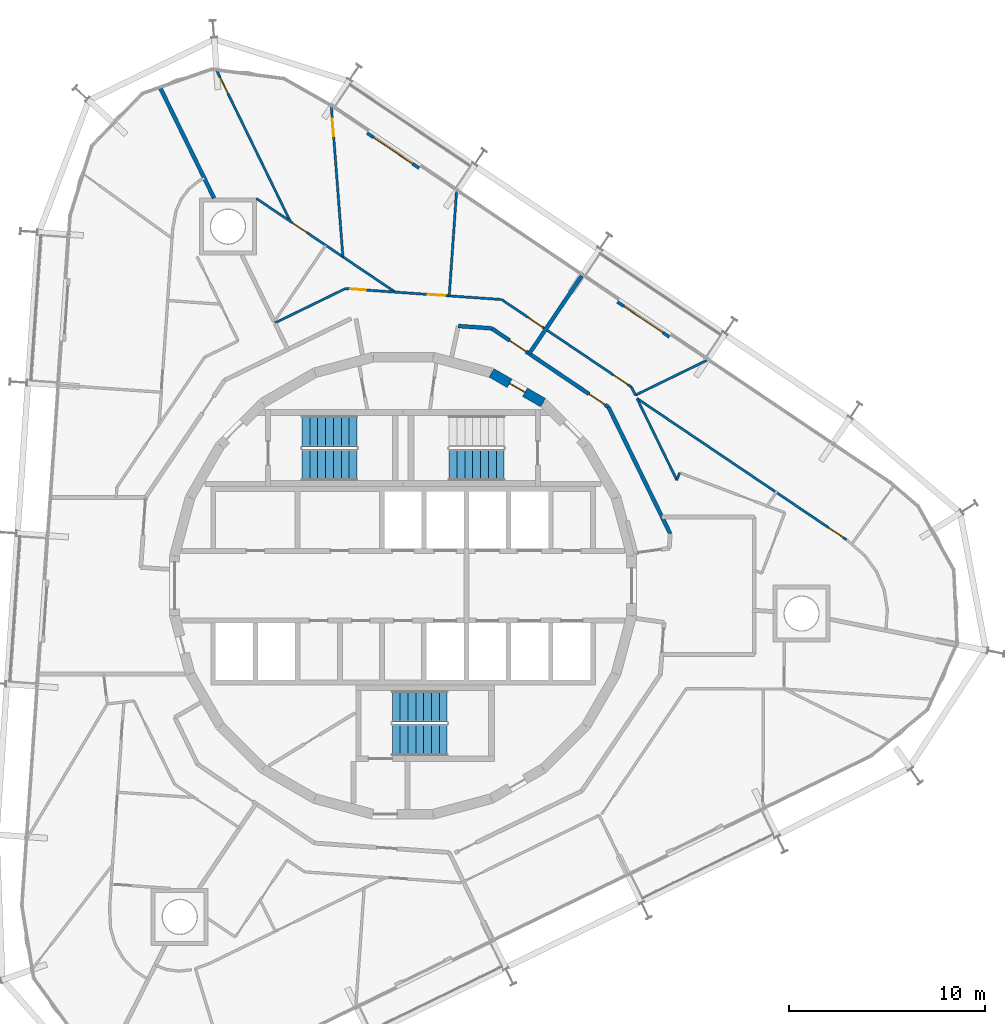
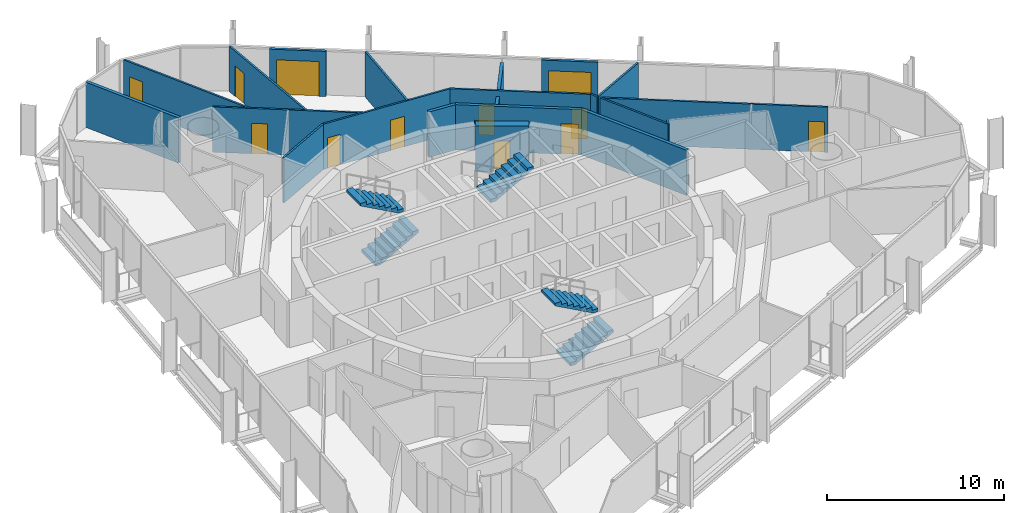
# One storey, part 16 of 18: 20 walls, 13 doors, 5 stair flights, 13 openings, 3 elements without a shape of their own.
"""IFC4 building model written with IfcOpenShell, lengths in metres."""

from ifc_helpers import new_model, si_unit, direction, frame, frame_2d, origin, place, context, subcontext, project, spatial, polyline, rectangle, outline, extrude, material, layer, layer_set, type_object, element, fill, aggregate, save


model = new_model("IFC4")

# Units and contexts
model_context = context("Model", 3, precision=1e-05, world=origin(), true_north=direction((0.0, 1.0)))
body_context = subcontext(model_context, "Body", "Model", "MODEL_VIEW")
ifc_project = project(units=[si_unit("LENGTHUNIT", "METRE"), si_unit("AREAUNIT", "SQUARE_METRE"), si_unit("VOLUMEUNIT", "CUBIC_METRE"), si_unit("PLANEANGLEUNIT", "RADIAN"), si_unit("MASSUNIT", "GRAM", prefix="KILO")], contexts=[model_context])

# Site, building, storey
site_placement = place(None, origin())
site = spatial("IfcSite", under=ifc_project, at=site_placement, CompositionType="ELEMENT")
building_placement = place(site_placement, origin())
building = spatial("IfcBuilding", under=site, at=building_placement, Name="Spindle Arch Residences", CompositionType="ELEMENT")
storey_placement = place(building_placement, frame((0.0, 0.0, 195.39990234375)))
storey = spatial("IfcBuildingStorey", under=building, at=storey_placement, Name="L49", CompositionType="ELEMENT", Elevation=195.39990234375)

# Wall, opening, door
ifc_material_1 = material(Name="Concrete C50/60", Category="concrete")
ifc_layer_1 = layer(ifc_material_1, 0.5)
ifc_layer_set_1 = layer_set([ifc_layer_1], Name="Core outline wall 500")
wall_type_1 = type_object("IfcWallType", Name="Core outline wall 500", PredefinedType="SHEAR", material=ifc_layer_set_1)
wall_1_placement = place(storey_placement, frame((7.13671875, 9.32861328125, 0.0), z_axis=(0.0, 0.0, 1.0), x_axis=(-0.865975092491, 0.500087131594, 0.0)))
wall_1 = element("IfcWall", 1, at=wall_1_placement, inside=storey, type_object=wall_type_1, Name="Core outline wall 10", PredefinedType="SHEAR", context=body_context, shape_type="SweptSolid", body=[
    extrude(rectangle(XDim=3.03271484375, YDim=0.5, at=frame_2d((1.516357421875, 0.0))), origin(), (0.0, 0.0, 1.0), 3.1201171875),
])
opening_1_placement = place(wall_1_placement, frame((1.06640625, 0.0, 0.0)))
opening_1 = element("IfcOpeningElement", 2, at=opening_1_placement, cuts=wall_1, Name="Opening R5A0-WD12", PredefinedType="OPENING", context=body_context, shape_type="SweptSolid", body=[
    extrude(rectangle(XDim=0.89990234375, YDim=2.10009765625, at=frame_2d((0.449951171875, 1.050048828125))), frame((0.0, 0.260009765625, 0.0), z_axis=(0.0, -1.0, 0.0), x_axis=(1.0, 0.0, 0.0)), (0.0, 0.0, 1.0), 0.52001953125),
])
ifc_material_2 = material(Name="Steel, fire-resisting door", Category="steel")
door_type_1 = type_object("IfcDoorType", Name="Service room door 900x2100", OperationType="SINGLE_SWING_LEFT", PredefinedType="DOOR", material=ifc_material_2)
door_1_placement = place(opening_1_placement, origin())
door_1 = element("IfcDoor", 3, at=door_1_placement, inside=storey, type_object=door_type_1, Name="Service room door R5A0-WD12", OperationType="SINGLE_SWING_RIGHT", OverallHeight=2.10009765625, OverallWidth=0.89990234375, PredefinedType="DOOR", context=body_context, shape_type="SweptSolid", body=[
    extrude(rectangle(XDim=0.89990234375, YDim=2.10009765625, at=frame_2d((0.449951171875, 1.050048828125))), frame((0.0, 0.02490234375, 0.0), z_axis=(0.0, -1.0, 0.0), x_axis=(1.0, 0.0, 0.0)), (0.0, 0.0, 1.0), 0.050048828125),
])
fill(opening_1, door_1)

# Wall, openings, doors
ifc_material_3 = material(Name="Calcium silicate block, plastered")
ifc_layer_2 = layer(ifc_material_3, 0.199951171875)
ifc_layer_set_2 = layer_set([ifc_layer_2], Name="Corridor wall 200")
wall_type_2 = type_object("IfcWallType", Name="Corridor wall 200", PredefinedType="STANDARD", material=ifc_layer_set_2)
wall_2_placement = place(storey_placement, frame((10.469970703125, 9.101318359375, 0.0), z_axis=(0.0, 0.0, 1.0), x_axis=(-0.829035841718, 0.559195469534, 0.0)))
wall_2 = element("IfcWall", 4, at=wall_2_placement, inside=storey, type_object=wall_type_2, Name="Corridor wall R5A0-W005", PredefinedType="STANDARD", context=body_context, shape_type="SweptSolid", body=[
    extrude(rectangle(XDim=7.18115234375, YDim=0.199951171875, at=frame_2d((3.590576171875, 0.0))), origin(), (0.0, 0.0, 1.0), 3.1201171875),
])
opening_2_placement = place(wall_2_placement, frame((0.199951171875, 0.0, 0.0)))
opening_2 = element("IfcOpeningElement", 5, at=opening_2_placement, cuts=wall_2, Name="Opening R5A0-FD01", PredefinedType="OPENING", context=body_context, shape_type="SweptSolid", body=[
    extrude(rectangle(XDim=1.0, YDim=2.10009765625, at=frame_2d((0.5, 1.050048828125))), frame((0.0, 0.10986328125, 0.0), z_axis=(0.0, -1.0, 0.0), x_axis=(1.0, 0.0, 0.0)), (0.0, 0.0, 1.0), 0.219970703125),
])
opening_3_placement = place(wall_2_placement, frame((5.07275390625, 0.0, 0.0)))
opening_3 = element("IfcOpeningElement", 6, at=opening_3_placement, cuts=wall_2, Name="Opening R5A0-FD02", PredefinedType="OPENING", context=body_context, shape_type="SweptSolid", body=[
    extrude(rectangle(XDim=1.0, YDim=2.10009765625, at=frame_2d((0.5, 1.050048828125))), frame((0.0, 0.10986328125, 0.0), z_axis=(0.0, -1.0, 0.0), x_axis=(1.0, 0.0, 0.0)), (0.0, 0.0, 1.0), 0.219970703125),
])
ifc_material_4 = material(Name="Timber, fire-resisting door set", Category="wood")
door_type_2 = type_object("IfcDoorType", Name="Flat entrance door 1000x2100", OperationType="NOTDEFINED", PredefinedType="DOOR", material=ifc_material_4)
door_2_placement = place(opening_2_placement, origin())
door_2 = element("IfcDoor", 7, at=door_2_placement, inside=storey, type_object=door_type_2, Name="Flat entrance door R5A0-FD01", OperationType="SINGLE_SWING_LEFT", OverallHeight=2.10009765625, OverallWidth=1.0, PredefinedType="DOOR", context=body_context, shape_type="SweptSolid", body=[
    extrude(rectangle(XDim=1.0, YDim=2.10009765625, at=frame_2d((0.5, 1.050048828125))), frame((0.0, 0.02490234375, 0.0), z_axis=(0.0, -1.0, 0.0), x_axis=(1.0, 0.0, 0.0)), (0.0, 0.0, 1.0), 0.050048828125),
])
fill(opening_2, door_2)
door_3_placement = place(opening_3_placement, origin())
door_3 = element("IfcDoor", 8, at=door_3_placement, inside=storey, type_object=door_type_2, Name="Flat entrance door R5A0-FD02", OperationType="SINGLE_SWING_RIGHT", OverallHeight=2.10009765625, OverallWidth=1.0, PredefinedType="DOOR", context=body_context, shape_type="SweptSolid", body=[
    extrude(rectangle(XDim=1.0, YDim=2.10009765625, at=frame_2d((0.5, 1.050048828125))), frame((0.0, 0.02490234375, 0.0), z_axis=(0.0, -1.0, 0.0), x_axis=(1.0, 0.0, 0.0)), (0.0, 0.0, 1.0), 0.050048828125),
])
fill(opening_3, door_3)

# Walls
wall_3_placement = place(storey_placement, frame((4.5166015625, 13.116943359375, 0.0), z_axis=(0.0, 0.0, 1.0), x_axis=(-0.997562153664, 0.069783591025, 0.0)))
element("IfcWall", 9, at=wall_3_placement, inside=storey, type_object=wall_type_2, Name="Corridor wall R5A0-W006", PredefinedType="STANDARD", context=body_context, shape_type="SweptSolid", body=[
    extrude(rectangle(XDim=1.707275390625, YDim=0.199951171875, at=frame_2d((0.853515625, 0.0))), origin(), (0.0, 0.0, 1.0), 3.1201171875),
])
ifc_material_5 = material(Name="Calcium silicate block, plastered")
ifc_layer_3 = layer(ifc_material_5, 0.199951171875)
ifc_layer_set_3 = layer_set([ifc_layer_3], Name="Fire-lift lobby bay wall 200")
wall_type_3 = type_object("IfcWallType", Name="Fire-lift lobby bay wall 200", PredefinedType="STANDARD", material=ifc_layer_set_3)
wall_4_placement = place(storey_placement, frame((13.617919921875, 2.64697265625, 0.0), z_axis=(0.0, 0.0, 1.0), x_axis=(-0.438366026218, 0.898796543751, 0.0)))
element("IfcWall", 10, at=wall_4_placement, inside=storey, type_object=wall_type_3, Name="Fire-lift lobby bay wall R5A0-W004", PredefinedType="STANDARD", context=body_context, shape_type="SweptSolid", body=[
    extrude(rectangle(XDim=7.18115234375, YDim=0.199951171875, at=frame_2d((3.590576171875, 0.0))), origin(), (0.0, 0.0, 1.0), 3.1201171875),
])
ifc_material_6 = material(Name="Plasterboard on steel studs", Category="steel")
ifc_layer_4 = layer(ifc_material_6, 0.1201171875)
ifc_layer_set_4 = layer_set([ifc_layer_4], Name="Flat partition 120")
wall_type_4 = type_object("IfcWallType", Name="Flat partition 120", PredefinedType="PARTITIONING", material=ifc_layer_set_4)
wall_5_placement = place(storey_placement, frame((14.094482421875, 5.755615234375, 0.0), z_axis=(0.0, 0.0, 1.0), x_axis=(-0.354267529254, -0.935144116014, 0.0)))
element("IfcWall", 11, at=wall_5_placement, inside=storey, type_object=wall_type_4, Name="Flat partition R5A0-W038", PredefinedType="PARTITIONING", context=body_context, shape_type="SweptSolid", body=[
    extrude(rectangle(XDim=0.399658203125, YDim=0.1201171875, at=frame_2d((0.19970703125, 0.0))), origin(), (0.0, 0.0, 1.0), 3.1201171875),
])
wall_6_placement = place(storey_placement, frame((13.952880859375, 5.3818359375, 0.0), z_axis=(0.0, 0.0, 1.0), x_axis=(-0.438382107355, 0.898788700391, 0.0)))
element("IfcWall", 12, at=wall_6_placement, inside=storey, type_object=wall_type_4, Name="Flat partition R5A0-W039", PredefinedType="PARTITIONING", context=body_context, shape_type="SweptSolid", body=[
    extrude(rectangle(XDim=4.633544921875, YDim=0.1201171875, at=frame_2d((2.31689453125, 0.0))), origin(), (0.0, 0.0, 1.0), 3.1201171875),
])
wall_7_placement = place(storey_placement, frame((11.841064453125, 9.711669921875, 0.0), z_axis=(0.0, 0.0, 1.0), x_axis=(-0.438381293215, 0.898789097486, 0.0)))
element("IfcWall", 13, at=wall_7_placement, inside=storey, type_object=wall_type_4, Name="Flat partition R5A0-W040", PredefinedType="PARTITIONING", context=body_context, shape_type="SweptSolid", body=[
    extrude(rectangle(XDim=0.454345703125, YDim=0.1201171875, at=frame_2d((0.22705078125, 0.0))), origin(), (0.0, 0.0, 1.0), 3.1201171875),
])

# Wall, openings, doors
wall_8_placement = place(storey_placement, frame((11.641845703125, 10.1201171875, 0.0), z_axis=(0.0, 0.0, 1.0), x_axis=(-0.829032241779, 0.55920080659, 0.0)))
wall_8 = element("IfcWall", 14, at=wall_8_placement, inside=storey, type_object=wall_type_4, Name="Flat partition R5A0-W041", PredefinedType="PARTITIONING", context=body_context, shape_type="SweptSolid", body=[
    extrude(rectangle(XDim=7.98486328125, YDim=0.1201171875, at=frame_2d((3.992431640625, 0.0))), origin(), (0.0, 0.0, 1.0), 3.1201171875),
])
opening_4_placement = place(wall_8_placement, frame((0.199951171875, 0.0, 0.0)))
opening_4 = element("IfcOpeningElement", 15, at=opening_4_placement, cuts=wall_8, Name="Opening R5A0-ID02", PredefinedType="OPENING", context=body_context, shape_type="SweptSolid", body=[
    extrude(rectangle(XDim=0.89990234375, YDim=2.10009765625, at=frame_2d((0.449951171875, 1.050048828125))), frame((0.0, 0.070068359375, 0.0), z_axis=(0.0, -1.0, 0.0), x_axis=(1.0, 0.0, 0.0)), (0.0, 0.0, 1.0), 0.14013671875),
])
opening_5_placement = place(wall_8_placement, frame((5.474853515625, 0.0, 0.0)))
opening_5 = element("IfcOpeningElement", 16, at=opening_5_placement, cuts=wall_8, Name="Opening R5A0-ID05", PredefinedType="OPENING", context=body_context, shape_type="SweptSolid", body=[
    extrude(rectangle(XDim=0.89990234375, YDim=2.10009765625, at=frame_2d((0.449951171875, 1.050048828125))), frame((0.0, 0.070068359375, 0.0), z_axis=(0.0, -1.0, 0.0), x_axis=(1.0, 0.0, 0.0)), (0.0, 0.0, 1.0), 0.14013671875),
])
ifc_material_7 = material(Name="Timber door set", Category="wood")
door_type_3 = type_object("IfcDoorType", Name="Room door 900x2100", OperationType="NOTDEFINED", PredefinedType="DOOR", material=ifc_material_7)
door_4_placement = place(opening_4_placement, origin())
door_4 = element("IfcDoor", 17, at=door_4_placement, inside=storey, type_object=door_type_3, Name="Room door R5A0-ID02", OperationType="SINGLE_SWING_LEFT", OverallHeight=2.10009765625, OverallWidth=0.89990234375, PredefinedType="DOOR", context=body_context, shape_type="SweptSolid", body=[
    extrude(rectangle(XDim=0.89990234375, YDim=2.10009765625, at=frame_2d((0.449951171875, 1.050048828125))), frame((0.0, 0.02490234375, 0.0), z_axis=(0.0, -1.0, 0.0), x_axis=(1.0, 0.0, 0.0)), (0.0, 0.0, 1.0), 0.050048828125),
])
fill(opening_4, door_4)
door_5_placement = place(opening_5_placement, origin())
door_5 = element("IfcDoor", 18, at=door_5_placement, inside=storey, type_object=door_type_3, Name="Room door R5A0-ID05", OperationType="SINGLE_SWING_RIGHT", OverallHeight=2.10009765625, OverallWidth=0.89990234375, PredefinedType="DOOR", context=body_context, shape_type="SweptSolid", body=[
    extrude(rectangle(XDim=0.89990234375, YDim=2.10009765625, at=frame_2d((0.449951171875, 1.050048828125))), frame((0.0, 0.02490234375, 0.0), z_axis=(0.0, -1.0, 0.0), x_axis=(1.0, 0.0, 0.0)), (0.0, 0.0, 1.0), 0.050048828125),
])
fill(opening_5, door_5)

# Wall, opening, door
wall_9_placement = place(storey_placement, frame((22.598388671875, 2.3447265625, 0.0), z_axis=(0.0, 0.0, 1.0), x_axis=(-0.829034113947, 0.559198031034, 0.0)))
wall_9 = element("IfcWall", 19, at=wall_9_placement, inside=storey, type_object=wall_type_4, Name="Flat partition R5A0-W048", PredefinedType="PARTITIONING", context=body_context, shape_type="SweptSolid", body=[
    extrude(rectangle(XDim=12.878662109375, YDim=0.1201171875, at=frame_2d((6.439453125, 0.0))), origin(), (0.0, 0.0, 1.0), 3.1201171875),
])
opening_6_placement = place(wall_9_placement, frame((0.199951171875, 0.0, 0.0)))
opening_6 = element("IfcOpeningElement", 20, at=opening_6_placement, cuts=wall_9, Name="Opening R5A0-ID03", PredefinedType="OPENING", context=body_context, shape_type="SweptSolid", body=[
    extrude(rectangle(XDim=0.89990234375, YDim=2.10009765625, at=frame_2d((0.449951171875, 1.050048828125))), frame((0.0, 0.070068359375, 0.0), z_axis=(0.0, -1.0, 0.0), x_axis=(1.0, 0.0, 0.0)), (0.0, 0.0, 1.0), 0.14013671875),
])
door_6_placement = place(opening_6_placement, origin())
door_6 = element("IfcDoor", 21, at=door_6_placement, inside=storey, type_object=door_type_3, Name="Room door R5A0-ID03", OperationType="SINGLE_SWING_LEFT", OverallHeight=2.10009765625, OverallWidth=0.89990234375, PredefinedType="DOOR", context=body_context, shape_type="SweptSolid", body=[
    extrude(rectangle(XDim=0.89990234375, YDim=2.10009765625, at=frame_2d((0.449951171875, 1.050048828125))), frame((0.0, 0.02490234375, 0.0), z_axis=(0.0, -1.0, 0.0), x_axis=(1.0, 0.0, 0.0)), (0.0, 0.0, 1.0), 0.050048828125),
])
fill(opening_6, door_6)

# Wall
wall_10_placement = place(storey_placement, frame((15.48193359375, 11.4873046875, 0.0), z_axis=(0.0, 0.0, 1.0), x_axis=(-0.898807251285, -0.438344071521, 0.0)))
element("IfcWall", 22, at=wall_10_placement, inside=storey, type_object=wall_type_4, Name="Flat partition R5A0-W050", PredefinedType="PARTITIONING", context=body_context, shape_type="SweptSolid", body=[
    extrude(rectangle(XDim=4.05078125, YDim=0.1201171875, at=frame_2d((2.025390625, 0.0))), origin(), (0.0, 0.0, 1.0), 3.1201171875),
])

# Wall, openings, doors
wall_11_placement = place(storey_placement, frame((5.022216796875, 14.585205078125, 0.0), z_axis=(0.0, 0.0, 1.0), x_axis=(-0.997565118395, 0.069741197017, 0.0)))
wall_11 = element("IfcWall", 23, at=wall_11_placement, inside=storey, type_object=wall_type_4, Name="Flat partition R5A0-W051", PredefinedType="PARTITIONING", context=body_context, shape_type="SweptSolid", body=[
    extrude(rectangle(XDim=7.985107421875, YDim=0.1201171875, at=frame_2d((3.99267578125, 0.0))), origin(), (0.0, 0.0, 1.0), 3.1201171875),
])
opening_7_placement = place(wall_11_placement, frame((2.87548828125, 0.0, 0.0)))
opening_7 = element("IfcOpeningElement", 24, at=opening_7_placement, cuts=wall_11, Name="Opening R5A0-ID06", PredefinedType="OPENING", context=body_context, shape_type="SweptSolid", body=[
    extrude(rectangle(XDim=0.89990234375, YDim=2.10009765625, at=frame_2d((0.449951171875, 1.050048828125))), frame((0.0, 0.070068359375, 0.0), z_axis=(0.0, -1.0, 0.0), x_axis=(1.0, 0.0, 0.0)), (0.0, 0.0, 1.0), 0.14013671875),
])
opening_8_placement = place(wall_11_placement, frame((6.9384765625, 0.0, 0.0)))
opening_8 = element("IfcOpeningElement", 25, at=opening_8_placement, cuts=wall_11, Name="Opening R5A0-BD02", PredefinedType="OPENING", context=body_context, shape_type="SweptSolid", body=[
    extrude(rectangle(XDim=0.800048828125, YDim=2.10009765625, at=frame_2d((0.39990234375, 1.050048828125))), frame((0.0, 0.070068359375, 0.0), z_axis=(0.0, -1.0, 0.0), x_axis=(1.0, 0.0, 0.0)), (0.0, 0.0, 1.0), 0.14013671875),
])
ifc_material_8 = material(Name="Timber door set", Category="wood")
door_type_4 = type_object("IfcDoorType", Name="Bathroom door 800x2100", OperationType="NOTDEFINED", PredefinedType="DOOR", material=ifc_material_8)
door_7_placement = place(opening_8_placement, origin())
door_7 = element("IfcDoor", 26, at=door_7_placement, inside=storey, type_object=door_type_4, Name="Bathroom door R5A0-BD02", OperationType="SINGLE_SWING_RIGHT", OverallHeight=2.10009765625, OverallWidth=0.800048828125, PredefinedType="DOOR", context=body_context, shape_type="SweptSolid", body=[
    extrude(rectangle(XDim=0.800048828125, YDim=2.10009765625, at=frame_2d((0.39990234375, 1.050048828125))), frame((0.0, 0.02490234375, 0.0), z_axis=(0.0, -1.0, 0.0), x_axis=(1.0, 0.0, 0.0)), (0.0, 0.0, 1.0), 0.050048828125),
])
fill(opening_8, door_7)
door_8_placement = place(opening_7_placement, origin())
door_8 = element("IfcDoor", 27, at=door_8_placement, inside=storey, type_object=door_type_3, Name="Room door R5A0-ID06", OperationType="SINGLE_SWING_RIGHT", OverallHeight=2.10009765625, OverallWidth=0.89990234375, PredefinedType="DOOR", context=body_context, shape_type="SweptSolid", body=[
    extrude(rectangle(XDim=0.89990234375, YDim=2.10009765625, at=frame_2d((0.449951171875, 1.050048828125))), frame((0.0, 0.02490234375, 0.0), z_axis=(0.0, -1.0, 0.0), x_axis=(1.0, 0.0, 0.0)), (0.0, 0.0, 1.0), 0.050048828125),
])
fill(opening_7, door_8)

# Walls
wall_12_placement = place(storey_placement, frame((-2.943359375, 15.14208984375, 0.0), z_axis=(0.0, 0.0, 1.0), x_axis=(-0.89881075705, -0.438336883014, 0.0)))
element("IfcWall", 28, at=wall_12_placement, inside=storey, type_object=wall_type_4, Name="Flat partition R5A0-W052", PredefinedType="PARTITIONING", context=body_context, shape_type="SweptSolid", body=[
    extrude(rectangle(XDim=3.992431640625, YDim=0.1201171875, at=frame_2d((1.99609375, 0.0))), origin(), (0.0, 0.0, 1.0), 3.1201171875),
])
wall_13_placement = place(storey_placement, frame((2.72509765625, 20.091796875, 0.0), z_axis=(0.0, 0.0, 1.0), x_axis=(-0.069766716578, -0.997563333958, 0.0)))
element("IfcWall", 29, at=wall_13_placement, inside=storey, type_object=wall_type_4, Name="Flat partition R5A0-W053", PredefinedType="PARTITIONING", context=body_context, shape_type="SweptSolid", body=[
    extrude(rectangle(XDim=5.3330078125, YDim=0.1201171875, at=frame_2d((2.66650390625, 0.0))), origin(), (0.0, 0.0, 1.0), 3.1201171875),
])

# Wall, opening, door
wall_14_placement = place(storey_placement, frame((-7.475830078125, 19.735107421875, 0.0), z_axis=(0.0, 0.0, 1.0), x_axis=(0.829035412992, -0.559196105142, 0.0)))
wall_14 = element("IfcWall", 30, at=wall_14_placement, inside=storey, type_object=wall_type_4, Name="Flat partition R5A0-W054", PredefinedType="PARTITIONING", context=body_context, shape_type="SweptSolid", body=[
    extrude(rectangle(XDim=8.531005859375, YDim=0.1201171875, at=frame_2d((4.265625, 0.0))), origin(), (0.0, 0.0, 1.0), 3.1201171875),
])
opening_9_placement = place(wall_14_placement, frame((2.20361328125, 0.0, 0.0)))
opening_9 = element("IfcOpeningElement", 31, at=opening_9_placement, cuts=wall_14, Name="Opening R5A0-ID08", PredefinedType="OPENING", context=body_context, shape_type="SweptSolid", body=[
    extrude(rectangle(XDim=0.89990234375, YDim=2.10009765625, at=frame_2d((0.449951171875, 1.050048828125))), frame((0.0, 0.070068359375, 0.0), z_axis=(0.0, -1.0, 0.0), x_axis=(1.0, 0.0, 0.0)), (0.0, 0.0, 1.0), 0.14013671875),
])
door_9_placement = place(opening_9_placement, origin())
door_9 = element("IfcDoor", 32, at=door_9_placement, inside=storey, type_object=door_type_3, Name="Room door R5A0-ID08", OperationType="SINGLE_SWING_LEFT", OverallHeight=2.10009765625, OverallWidth=0.89990234375, PredefinedType="DOOR", context=body_context, shape_type="SweptSolid", body=[
    extrude(rectangle(XDim=0.89990234375, YDim=2.10009765625, at=frame_2d((0.449951171875, 1.050048828125))), frame((0.0, 0.02490234375, 0.0), z_axis=(0.0, -1.0, 0.0), x_axis=(1.0, 0.0, 0.0)), (0.0, 0.0, 1.0), 0.050048828125),
])
fill(opening_9, door_9)

wall_15_placement = place(storey_placement, frame((-3.6533203125, 24.39404296875, 0.0), z_axis=(0.0, 0.0, 1.0), x_axis=(0.076513576433, -0.997068539581, 0.0)))
wall_15 = element("IfcWall", 33, at=wall_15_placement, inside=storey, type_object=wall_type_4, Name="Flat partition R5A0-W055", PredefinedType="PARTITIONING", context=body_context, shape_type="SweptSolid", body=[
    extrude(rectangle(XDim=7.65478515625, YDim=0.1201171875, at=frame_2d((3.827392578125, 0.0))), origin(), (0.0, 0.0, 1.0), 3.1201171875),
])
opening_10_placement = place(wall_15_placement, frame((0.60009765625, 0.0, 0.0)))
opening_10 = element("IfcOpeningElement", 34, at=opening_10_placement, cuts=wall_15, Name="Opening R5A0-ID07", PredefinedType="OPENING", context=body_context, shape_type="SweptSolid", body=[
    extrude(rectangle(XDim=0.89990234375, YDim=2.10009765625, at=frame_2d((0.449951171875, 1.050048828125))), frame((0.0, 0.070068359375, 0.0), z_axis=(0.0, -1.0, 0.0), x_axis=(1.0, 0.0, 0.0)), (0.0, 0.0, 1.0), 0.14013671875),
])
door_10_placement = place(opening_10_placement, origin())
door_10 = element("IfcDoor", 35, at=door_10_placement, inside=storey, type_object=door_type_3, Name="Room door R5A0-ID07", OperationType="SINGLE_SWING_RIGHT", OverallHeight=2.10009765625, OverallWidth=0.89990234375, PredefinedType="DOOR", context=body_context, shape_type="SweptSolid", body=[
    extrude(rectangle(XDim=0.89990234375, YDim=2.10009765625, at=frame_2d((0.449951171875, 1.050048828125))), frame((0.0, 0.02490234375, 0.0), z_axis=(0.0, -1.0, 0.0), x_axis=(1.0, 0.0, 0.0)), (0.0, 0.0, 1.0), 0.050048828125),
])
fill(opening_10, door_10)

wall_16_placement = place(storey_placement, frame((-9.49609375, 26.25390625, 0.0), z_axis=(0.0, 0.0, 1.0), x_axis=(0.438361739807, -0.89879863433, 0.0)))
wall_16 = element("IfcWall", 36, at=wall_16_placement, inside=storey, type_object=wall_type_4, Name="Flat partition R5A0-W057", PredefinedType="PARTITIONING", context=body_context, shape_type="SweptSolid", body=[
    extrude(rectangle(XDim=8.549072265625, YDim=0.1201171875, at=frame_2d((4.2744140625, 0.0))), origin(), (0.0, 0.0, 1.0), 3.1201171875),
])
opening_11_placement = place(wall_16_placement, frame((0.39990234375, 0.0, 0.0)))
opening_11 = element("IfcOpeningElement", 37, at=opening_11_placement, cuts=wall_16, Name="Opening R5A0-ID09", PredefinedType="OPENING", context=body_context, shape_type="SweptSolid", body=[
    extrude(rectangle(XDim=0.89990234375, YDim=2.10009765625, at=frame_2d((0.449951171875, 1.050048828125))), frame((0.0, 0.070068359375, 0.0), z_axis=(0.0, -1.0, 0.0), x_axis=(1.0, 0.0, 0.0)), (0.0, 0.0, 1.0), 0.14013671875),
])
door_11_placement = place(opening_11_placement, origin())
door_11 = element("IfcDoor", 38, at=door_11_placement, inside=storey, type_object=door_type_3, Name="Room door R5A0-ID09", OperationType="SINGLE_SWING_RIGHT", OverallHeight=2.10009765625, OverallWidth=0.89990234375, PredefinedType="DOOR", context=body_context, shape_type="SweptSolid", body=[
    extrude(rectangle(XDim=0.89990234375, YDim=2.10009765625, at=frame_2d((0.449951171875, 1.050048828125))), frame((0.0, 0.02490234375, 0.0), z_axis=(0.0, -1.0, 0.0), x_axis=(1.0, 0.0, 0.0)), (0.0, 0.0, 1.0), 0.050048828125),
])
fill(opening_11, door_11)

# Walls
ifc_material_9 = material(Name="Calcium silicate block, plastered")
ifc_layer_5 = layer(ifc_material_9, 0.199951171875)
ifc_layer_set_5 = layer_set([ifc_layer_5], Name="Flat party wall 200")
wall_type_5 = type_object("IfcWallType", Name="Flat party wall 200", PredefinedType="STANDARD", material=ifc_layer_set_5)
wall_17_placement = place(storey_placement, frame((-12.4091796875, 25.4423828125, 0.0), z_axis=(0.0, 0.0, 1.0), x_axis=(0.43838641251, -0.898786600549, 0.0)))
element("IfcWall", 39, at=wall_17_placement, inside=storey, type_object=wall_type_5, Name="Flat party wall R5A0-W031", PredefinedType="STANDARD", context=body_context, shape_type="SweptSolid", body=[
    extrude(rectangle(XDim=6.33251953125, YDim=0.199951171875, at=frame_2d((3.166259765625, 0.0))), origin(), (0.0, 0.0, 1.0), 3.1201171875),
])
ifc_material_10 = material(Name="Calcium silicate block, plastered")
ifc_layer_6 = layer(ifc_material_10, 0.199951171875)
ifc_layer_set_6 = layer_set([ifc_layer_6], Name="Flat party wall 200 under beam 2730")
wall_type_6 = type_object("IfcWallType", Name="Flat party wall 200 under beam 2730", PredefinedType="STANDARD", material=ifc_layer_set_6)
wall_18_placement = place(storey_placement, frame((9.103515625, 15.78955078125, 0.0), z_axis=(0.0, 0.0, 1.0), x_axis=(-0.559193912135, -0.829036892201, 0.0)))
element("IfcWall", 40, at=wall_18_placement, inside=storey, type_object=wall_type_6, Name="Flat party wall R5A0-W026", PredefinedType="STANDARD", context=body_context, shape_type="SweptSolid", body=[
    extrude(rectangle(XDim=4.78076171875, YDim=0.199951171875, at=frame_2d((2.390380859375, 0.0))), origin(), (0.0, 0.0, 1.0), 2.72998046875),
])

# Wall, opening, door
ifc_material_11 = material(Name="Non-combustible mineral wool insulated aluminium faced external wall (K0)", Category="aluminium")
ifc_layer_7 = layer(ifc_material_11, 0.159912109375)
ifc_layer_set_7 = layer_set([ifc_layer_7], Name="Insulated external wall panel 160")
wall_type_7 = type_object("IfcWallType", Name="Insulated external wall panel 160", PredefinedType="STANDARD", material=ifc_layer_set_7)
wall_19_placement = place(storey_placement, frame((13.574462890625, 12.677490234375, 0.0), z_axis=(0.0, 0.0, 1.0), x_axis=(-0.829068838882, 0.55914654644, 0.0)))
wall_19 = element("IfcWall", 41, at=wall_19_placement, inside=storey, type_object=wall_type_7, Name="External wall L49 bay 7", PredefinedType="STANDARD", context=body_context, shape_type="SweptSolid", body=[
    extrude(rectangle(XDim=3.199951171875, YDim=0.159912109375, at=frame_2d((1.60009765625, 0.0))), origin(), (0.0, 0.0, 1.0), 3.1201171875),
])
opening_12_placement = place(wall_19_placement, frame((0.39990234375, 0.0, 0.0)))
opening_12 = element("IfcOpeningElement", 42, at=opening_12_placement, cuts=wall_19, Name="Opening BD07", PredefinedType="OPENING", context=body_context, shape_type="SweptSolid", body=[
    extrude(rectangle(XDim=2.39990234375, YDim=2.39990234375, at=frame_2d((1.199951171875, 1.199951171875))), frame((0.0, 0.08984375, 0.0), z_axis=(0.0, -1.0, 0.0), x_axis=(1.0, 0.0, 0.0)), (0.0, 0.0, 1.0), 0.179931640625),
])
ifc_material_12 = material(Name="Bronze aluminium frame, tinted double glazing", Category="aluminium")
door_type_5 = type_object("IfcDoorType", Name="Sliding glazed balcony door 2400x2400", OperationType="DOUBLE_DOOR_SLIDING", PredefinedType="DOOR", material=ifc_material_12)
door_12_placement = place(opening_12_placement, origin())
door_12 = element("IfcDoor", 43, at=door_12_placement, inside=storey, type_object=door_type_5, Name="Balcony door BD07", OperationType="DOUBLE_DOOR_SLIDING", OverallHeight=2.39990234375, OverallWidth=2.39990234375, PredefinedType="DOOR", context=body_context, shape_type="SweptSolid", body=[
    extrude(rectangle(XDim=2.39990234375, YDim=2.39990234375, at=frame_2d((1.199951171875, 1.199951171875))), frame((0.0, 0.02490234375, 0.0), z_axis=(0.0, -1.0, 0.0), x_axis=(1.0, 0.0, 0.0)), (0.0, 0.0, 1.0), 0.050048828125),
])
fill(opening_12, door_12)

wall_20_placement = place(storey_placement, frame((0.817626953125, 21.281982421875, 0.0), z_axis=(0.0, 0.0, 1.0), x_axis=(-0.829044984211, 0.559181915082, 0.0)))
wall_20 = element("IfcWall", 44, at=wall_20_placement, inside=storey, type_object=wall_type_7, Name="External wall L49 bay 9", PredefinedType="STANDARD", context=body_context, shape_type="SweptSolid", body=[
    extrude(rectangle(XDim=3.199951171875, YDim=0.159912109375, at=frame_2d((1.60009765625, 0.0))), origin(), (0.0, 0.0, 1.0), 3.1201171875),
])
opening_13_placement = place(wall_20_placement, frame((0.39990234375, 0.0, 0.0)))
opening_13 = element("IfcOpeningElement", 45, at=opening_13_placement, cuts=wall_20, Name="Opening BD09", PredefinedType="OPENING", context=body_context, shape_type="SweptSolid", body=[
    extrude(rectangle(XDim=2.39990234375, YDim=2.39990234375, at=frame_2d((1.199951171875, 1.199951171875))), frame((0.0, 0.08984375, 0.0), z_axis=(0.0, -1.0, 0.0), x_axis=(1.0, 0.0, 0.0)), (0.0, 0.0, 1.0), 0.179931640625),
])
door_13_placement = place(opening_13_placement, origin())
door_13 = element("IfcDoor", 46, at=door_13_placement, inside=storey, type_object=door_type_5, Name="Balcony door BD09", OperationType="DOUBLE_DOOR_SLIDING", OverallHeight=2.39990234375, OverallWidth=2.39990234375, PredefinedType="DOOR", context=body_context, shape_type="SweptSolid", body=[
    extrude(rectangle(XDim=2.39990234375, YDim=2.39990234375, at=frame_2d((1.199951171875, 1.199951171875))), frame((0.0, 0.02490234375, 0.0), z_axis=(0.0, -1.0, 0.0), x_axis=(1.0, 0.0, 0.0)), (0.0, 0.0, 1.0), 0.050048828125),
])
fill(opening_13, door_13)

# Stair, stair flight
ifc_material_13 = material(Name="Concrete C50/60", Category="concrete")
stair_type = type_object("IfcStairType", Name="Exit stair 16 risers", PredefinedType="HALF_TURN_STAIR", material=ifc_material_13)
stair_1_placement = place(storey_placement, origin())
stair_1 = element("IfcStair", 47, at=stair_1_placement, inside=storey, type_object=stair_type, Name="L49 Exit stair ST1", PredefinedType="HALF_TURN_STAIR")
ifc_material_14 = material(Name="Concrete C50/60", Category="concrete")
stair_flight_type = type_object("IfcStairFlightType", Name="Exit stair flight", PredefinedType="STRAIGHT", material=ifc_material_14)
stair_flight_1_placement = place(storey_placement, frame((2.35009765625, 6.14990234375, 1.75), z_axis=(0.0, 0.0, 1.0), x_axis=(1.0, 0.0, 0.0)))
stair_flight_1 = element("IfcStairFlight", 48, at=stair_flight_1_placement, type_object=stair_flight_type, Name="ST1 flight 2", NumberOfRisers=8, NumberOfTreads=7, PredefinedType="STRAIGHT", RiserHeight=0.21875, TreadLength=0.4, context=body_context, shape_type="SweptSolid", body=[
    extrude(outline(polyline([(0.0, 0.0), (0.0, 0.21875), (0.39990234375, 0.21875), (0.39990234375, 0.4375), (0.800048828125, 0.4375), (0.800048828125, 0.65625), (1.199951171875, 0.65625), (1.199951171875, 0.875), (1.60009765625, 0.875), (1.60009765625, 1.09375), (2.0, 1.09375), (2.0, 1.3125), (2.39990234375, 1.3125), (2.39990234375, 1.53125), (2.800048828125, 1.53125), (2.800048828125, 1.75), (2.800048828125, 1.3603515625), (0.3125, 0.0), (0.0, 0.0)])), frame((0.0, 0.800048828125, 0.0), z_axis=(0.0, -1.0, 0.0), x_axis=(1.0, 0.0, 0.0)), (0.0, 0.0, 1.0), 1.60009765625),
])
aggregate(stair_1, [stair_flight_1])

# Stair, stair flights
stair_2_placement = place(storey_placement, origin())
stair_2 = element("IfcStair", 49, at=stair_2_placement, inside=storey, type_object=stair_type, Name="L49 Exit stair ST2", PredefinedType="HALF_TURN_STAIR")
stair_flight_2_placement = place(storey_placement, frame((-5.14990234375, 6.14990234375, 0.0), z_axis=(0.0, 0.0, 1.0), x_axis=(1.0, 0.0, 0.0)))
stair_flight_2 = element("IfcStairFlight", 50, at=stair_flight_2_placement, type_object=stair_flight_type, Name="ST2 flight 1", NumberOfRisers=8, NumberOfTreads=7, PredefinedType="STRAIGHT", RiserHeight=0.21875, TreadLength=0.4, context=body_context, shape_type="SweptSolid", body=[
    extrude(outline(polyline([(0.0, 0.0), (0.0, 0.21875), (0.39990234375, 0.21875), (0.39990234375, 0.4375), (0.800048828125, 0.4375), (0.800048828125, 0.65625), (1.199951171875, 0.65625), (1.199951171875, 0.875), (1.60009765625, 0.875), (1.60009765625, 1.09375), (2.0, 1.09375), (2.0, 1.3125), (2.39990234375, 1.3125), (2.39990234375, 1.53125), (2.800048828125, 1.53125), (2.800048828125, 1.75), (2.800048828125, 1.3603515625), (0.3125, 0.0), (0.0, 0.0)])), frame((0.0, 0.800048828125, 0.0), z_axis=(0.0, -1.0, 0.0), x_axis=(1.0, 0.0, 0.0)), (0.0, 0.0, 1.0), 1.60009765625),
])
stair_flight_3_placement = place(storey_placement, frame((-2.35009765625, 7.8701171875, 1.75), z_axis=(0.0, 0.0, 1.0), x_axis=(-1.0, 0.0, 0.0)))
stair_flight_3 = element("IfcStairFlight", 51, at=stair_flight_3_placement, type_object=stair_flight_type, Name="ST2 flight 2", NumberOfRisers=8, NumberOfTreads=7, PredefinedType="STRAIGHT", RiserHeight=0.21875, TreadLength=0.4, context=body_context, shape_type="SweptSolid", body=[
    extrude(outline(polyline([(0.0, 0.0), (0.0, 0.21875), (0.39990234375, 0.21875), (0.39990234375, 0.4375), (0.800048828125, 0.4375), (0.800048828125, 0.65625), (1.199951171875, 0.65625), (1.199951171875, 0.875), (1.60009765625, 0.875), (1.60009765625, 1.09375), (2.0, 1.09375), (2.0, 1.3125), (2.39990234375, 1.3125), (2.39990234375, 1.53125), (2.800048828125, 1.53125), (2.800048828125, 1.75), (2.800048828125, 1.3603515625), (0.3125, 0.0), (0.0, 0.0)])), frame((0.0, 0.800048828125, 0.0), z_axis=(0.0, -1.0, 0.0), x_axis=(1.0, 0.0, 0.0)), (0.0, 0.0, 1.0), 1.60009765625),
])
aggregate(stair_2, [stair_flight_2, stair_flight_3])

stair_3_placement = place(storey_placement, origin())
stair_3 = element("IfcStair", 52, at=stair_3_placement, inside=storey, type_object=stair_type, Name="L49 Exit stair ST3", PredefinedType="HALF_TURN_STAIR")
stair_flight_4_placement = place(storey_placement, frame((-0.550048828125, -7.8701171875, 0.0), z_axis=(0.0, 0.0, 1.0), x_axis=(1.0, 0.0, 0.0)))
stair_flight_4 = element("IfcStairFlight", 53, at=stair_flight_4_placement, type_object=stair_flight_type, Name="ST3 flight 1", NumberOfRisers=8, NumberOfTreads=7, PredefinedType="STRAIGHT", RiserHeight=0.21875, TreadLength=0.4, context=body_context, shape_type="SweptSolid", body=[
    extrude(outline(polyline([(0.0, 0.0), (0.0, 0.21875), (0.39990234375, 0.21875), (0.39990234375, 0.4375), (0.800048828125, 0.4375), (0.800048828125, 0.65625), (1.199951171875, 0.65625), (1.199951171875, 0.875), (1.60009765625, 0.875), (1.60009765625, 1.09375), (2.0, 1.09375), (2.0, 1.3125), (2.39990234375, 1.3125), (2.39990234375, 1.53125), (2.800048828125, 1.53125), (2.800048828125, 1.75), (2.800048828125, 1.3603515625), (0.3125, 0.0), (0.0, 0.0)])), frame((0.0, 0.800048828125, 0.0), z_axis=(0.0, -1.0, 0.0), x_axis=(1.0, 0.0, 0.0)), (0.0, 0.0, 1.0), 1.60009765625),
])
stair_flight_5_placement = place(storey_placement, frame((2.25, -6.14990234375, 1.75), z_axis=(0.0, 0.0, 1.0), x_axis=(-1.0, 0.0, 0.0)))
stair_flight_5 = element("IfcStairFlight", 54, at=stair_flight_5_placement, type_object=stair_flight_type, Name="ST3 flight 2", NumberOfRisers=8, NumberOfTreads=7, PredefinedType="STRAIGHT", RiserHeight=0.21875, TreadLength=0.4, context=body_context, shape_type="SweptSolid", body=[
    extrude(outline(polyline([(0.0, 0.0), (0.0, 0.21875), (0.39990234375, 0.21875), (0.39990234375, 0.4375), (0.800048828125, 0.4375), (0.800048828125, 0.65625), (1.199951171875, 0.65625), (1.199951171875, 0.875), (1.60009765625, 0.875), (1.60009765625, 1.09375), (2.0, 1.09375), (2.0, 1.3125), (2.39990234375, 1.3125), (2.39990234375, 1.53125), (2.800048828125, 1.53125), (2.800048828125, 1.75), (2.800048828125, 1.3603515625), (0.3125, 0.0), (0.0, 0.0)])), frame((0.0, 0.800048828125, 0.0), z_axis=(0.0, -1.0, 0.0), x_axis=(1.0, 0.0, 0.0)), (0.0, 0.0, 1.0), 1.60009765625),
])
aggregate(stair_3, [stair_flight_4, stair_flight_5])

save(model, "model.ifc")
